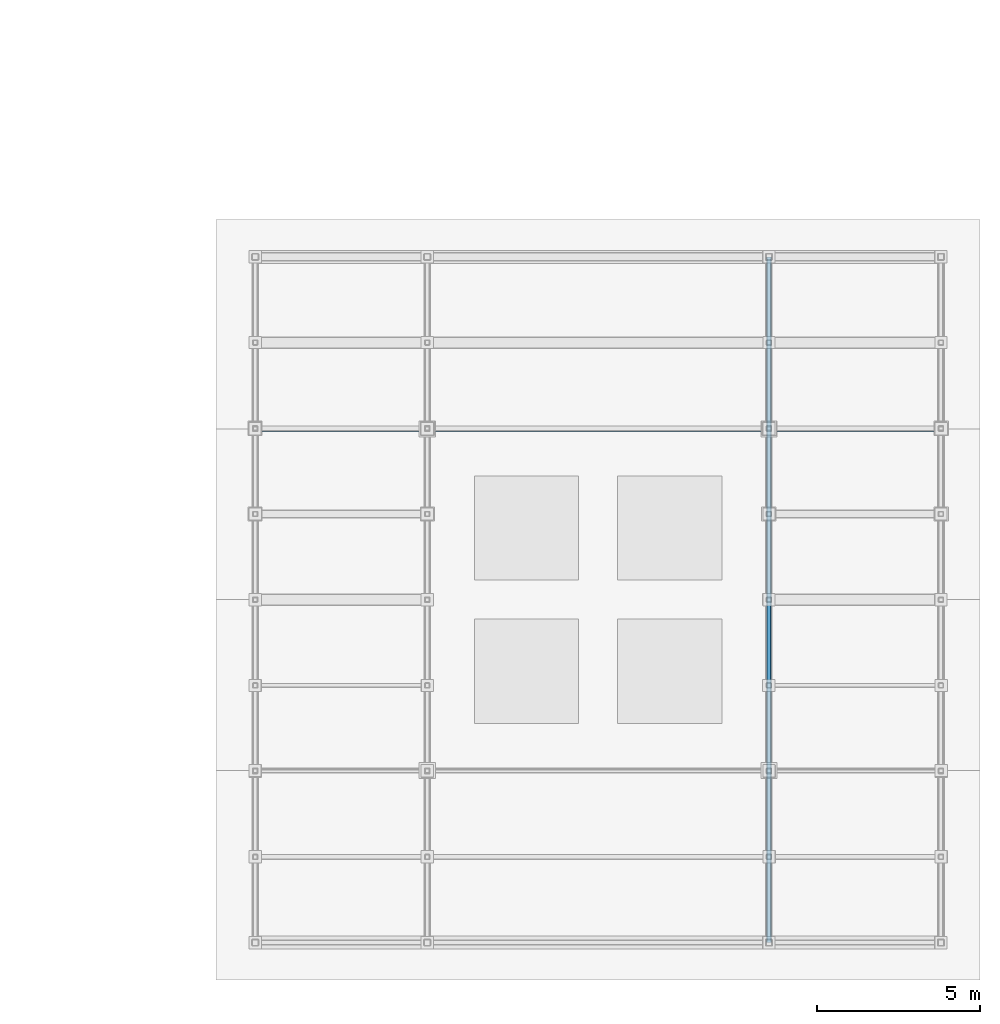
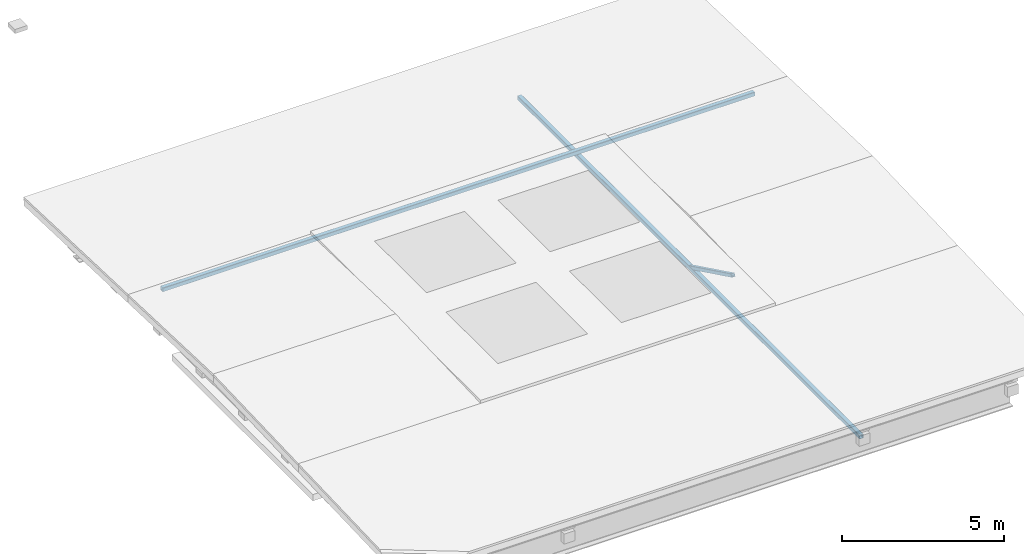
# One storey, part 4 of 25: 2 beams, 1 member.
"""IFC4 building model written with IfcOpenShell, lengths in metres."""

from ifc_helpers import new_model, si_unit, direction, frame, origin, origin_2d, place, context, subcontext, project, spatial, hollow_rectangle, extrude, material, material_profile, profile_set, type_object, element, save


model = new_model("IFC4")

# Units and contexts
model_context = context("Model", 3, precision=1e-05, world=origin(), true_north=direction((0.0, 1.0)))
body_context = subcontext(model_context, "Body", "Model", "MODEL_VIEW")
ifc_project = project(units=[si_unit("LENGTHUNIT", "METRE"), si_unit("AREAUNIT", "SQUARE_METRE"), si_unit("VOLUMEUNIT", "CUBIC_METRE"), si_unit("PLANEANGLEUNIT", "RADIAN"), si_unit("MASSUNIT", "GRAM", prefix="KILO"), si_unit("THERMODYNAMICTEMPERATUREUNIT", "KELVIN"), si_unit("POWERUNIT", "WATT")], contexts=[model_context])

# Site, building, storey
site_placement = place(None, origin())
site = spatial("IfcSite", under=ifc_project, at=site_placement, CompositionType="ELEMENT")
building_placement = place(site_placement, origin())
building = spatial("IfcBuilding", under=site, at=building_placement, Name="Zelmaris Science Centre", CompositionType="ELEMENT")
storey_placement = place(building_placement, frame((0.0, 0.0, 30.0)))
storey = spatial("IfcBuildingStorey", under=building, at=storey_placement, Name="RF", CompositionType="ELEMENT", Elevation=30.0)

# Beams
ifc_material = material(Name="Steel ASTM A500 Grade C", Category="steel")
ifc_material_profile_1 = material_profile(ifc_material, hollow_rectangle(XDim=0.15234375, YDim=0.15234375, WallThickness=0.0087890625, InnerFilletRadius=0.0087890625, OuterFilletRadius=0.017822265625, at=origin_2d()), Name="HSS152X152X10")
ifc_profile_set_1 = profile_set([ifc_material_profile_1], Name="Steel ASTM A500 Grade C")
beam_type = type_object("IfcBeamType", Name="Beam G-21 HSS152X152X10", PredefinedType="BEAM", material=ifc_profile_set_1)
for number, where, z_axis, x_axis, name in (
    (1, (86.25, 25.464111328125, 0.34814453125), (0.0, 1.0, 0.0), (-1.0, 0.0, 0.0), "RF-V2 Roof truss 3 bottom chord"),
    (2, (70.464111328125, 41.25, 1.860107421875), (1.0, 0.0, 0.0), (0.0, 1.0, 0.0), "RF-V2 Lantern curb beam N"),
):
    element("IfcBeam", number, at=place(storey_placement, frame(where, z_axis=z_axis, x_axis=x_axis)), inside=storey, type_object=beam_type, Name=name, PredefinedType="BEAM", context=body_context, shape_type="SweptSolid", body=[
        extrude(hollow_rectangle(XDim=0.15234375, YDim=0.15234375, WallThickness=0.0087890625, InnerFilletRadius=0.0087890625, OuterFilletRadius=0.017822265625, at=origin_2d()), origin(), (0.0, 0.0, 1.0), 21.07177734375),
    ])

# Member
ifc_material_profile_2 = material_profile(ifc_material, hollow_rectangle(XDim=0.126953125, YDim=0.126953125, WallThickness=0.00732421875, InnerFilletRadius=0.00732421875, OuterFilletRadius=0.014892578125, at=origin_2d()), Name="HSS127X127X8")
ifc_profile_set_2 = profile_set([ifc_material_profile_2], Name="Steel ASTM A500 Grade C")
member_type = type_object("IfcMemberType", Name="Structural Brace BR-04 HSS127X127X8", PredefinedType="BRACE", material=ifc_profile_set_2)
member_placement = place(storey_placement, frame((86.25, 33.365966796875, 1.63330078125), z_axis=(0.0, 0.898733216997, -0.438495843384), x_axis=(-1.0, 0.0, 0.0)))
element("IfcMember", 3, at=member_placement, inside=storey, type_object=member_type, Name="RF-V2 Roof truss 3 web diagonal 4", PredefinedType="BRACE", context=body_context, shape_type="SweptSolid", body=[
    extrude(hollow_rectangle(XDim=0.126953125, YDim=0.126953125, WallThickness=0.00732421875, InnerFilletRadius=0.00732421875, OuterFilletRadius=0.014892578125, at=origin_2d()), origin(), (0.0, 0.0, 1.0), 2.930908203125),
])

save(model, "model.ifc")
